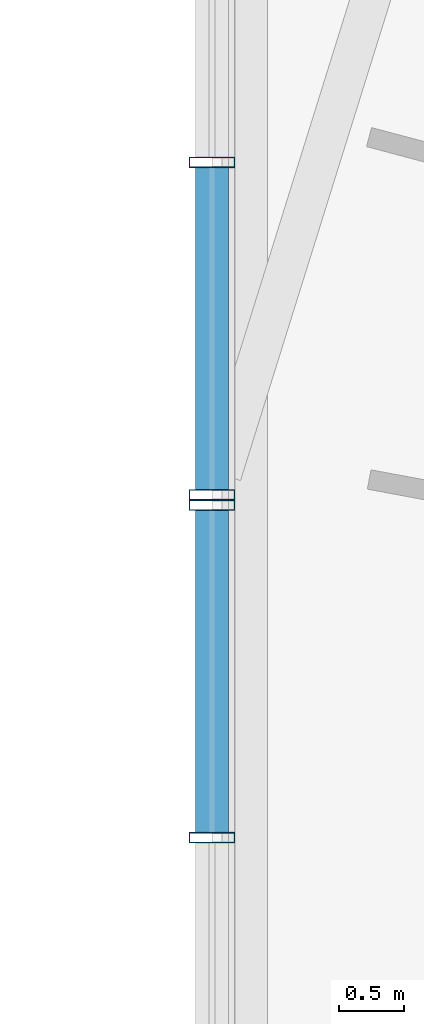
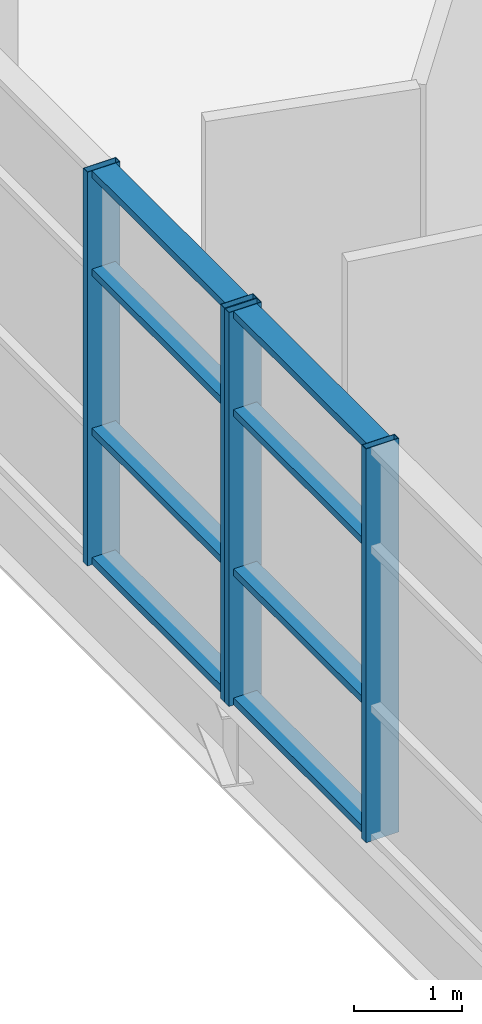
# One storey, part 13 of 26: 12 members, 2 elements without a shape of their own.
"""IFC4 building model written with IfcOpenShell, lengths in metres."""

from ifc_helpers import new_model, si_unit, direction, frame, origin, origin_2d, place, context, subcontext, project, spatial, hollow_rectangle, extrude, material, layer, layer_set, material_profile, profile_set, type_object, element, aggregate, save


model = new_model("IFC4")

# Units and contexts
model_context = context("Model", 3, precision=1e-05, world=origin(), true_north=direction((0.0, 1.0)))
body_context = subcontext(model_context, "Body", "Model", "MODEL_VIEW")
ifc_project = project(units=[si_unit("LENGTHUNIT", "METRE"), si_unit("AREAUNIT", "SQUARE_METRE"), si_unit("VOLUMEUNIT", "CUBIC_METRE"), si_unit("PLANEANGLEUNIT", "RADIAN"), si_unit("MASSUNIT", "GRAM", prefix="KILO")], contexts=[model_context])

# Site, building, storey
site_placement = place(None, origin())
site = spatial("IfcSite", under=ifc_project, at=site_placement, CompositionType="ELEMENT")
building_placement = place(site_placement, origin())
building = spatial("IfcBuilding", under=site, at=building_placement, Name="Tuul Gate Civic Tower", CompositionType="ELEMENT")
storey_placement = place(building_placement, frame((0.0, 0.0, 7.5)))
storey = spatial("IfcBuildingStorey", under=building, at=storey_placement, Name="Level 01", CompositionType="ELEMENT", Elevation=7.5)

# Curtain wall, members
ifc_material_1 = material(Name="Stainless steel", Category="steel")
ifc_layer = layer(ifc_material_1, 0.199951171875)
ifc_layer_set = layer_set([ifc_layer], Name="Stainless steel")
curtain_wall_type = type_object("IfcCurtainWallType", Name="Curtain wall CW2", PredefinedType="NOTDEFINED", material=ifc_layer_set)
curtain_wall_1_placement = place(storey_placement, origin())
curtain_wall_1 = element("IfcCurtainWall", 1, at=curtain_wall_1_placement, inside=storey, type_object=curtain_wall_type, Name="Curtain wall CW2", PredefinedType="NOTDEFINED")
ifc_material_2 = material(Name="Stainless steel", Category="steel")
ifc_material_profile_1 = material_profile(ifc_material_2, hollow_rectangle(XDim=0.35009765625, YDim=0.080078125, WallThickness=0.006103515625, at=origin_2d()), Name="CW2 mullion")
ifc_profile_set_1 = profile_set([ifc_material_profile_1], Name="Stainless steel")
member_type_1 = type_object("IfcMemberType", Name="CW2 mullion", PredefinedType="MULLION", material=ifc_profile_set_1)
member_1_placement = place(storey_placement, frame((18.0, -4.94287109375, 0.0), z_axis=(0.0, 0.0, 1.0), x_axis=(-1.0, 0.0, 0.0)))
member_1 = element("IfcMember", 2, at=member_1_placement, type_object=member_type_1, Name="Mullion", PredefinedType="MULLION", context=body_context, shape_type="SweptSolid", body=[
    extrude(hollow_rectangle(XDim=0.35009765625, YDim=0.080078125, WallThickness=0.006103515625, at=origin_2d()), origin(), (0.0, 0.0, 1.0), 4.449951171875),
])
member_2_placement = place(storey_placement, frame((18.0, -2.404052734375, 0.0), z_axis=(0.0, 0.0, 1.0), x_axis=(-1.0, 0.0, 0.0)))
member_2 = element("IfcMember", 3, at=member_2_placement, type_object=member_type_1, Name="Mullion", PredefinedType="MULLION", context=body_context, shape_type="SweptSolid", body=[
    extrude(hollow_rectangle(XDim=0.35009765625, YDim=0.080078125, WallThickness=0.006103515625, at=origin_2d()), origin(), (0.0, 0.0, 1.0), 4.449951171875),
])

curtain_wall_2_placement = place(storey_placement, origin())
curtain_wall_2 = element("IfcCurtainWall", 4, at=curtain_wall_2_placement, inside=storey, type_object=curtain_wall_type, Name="Curtain wall CW2", PredefinedType="NOTDEFINED")
member_3_placement = place(storey_placement, frame((18.0, -2.32421875, 0.0), z_axis=(0.0, 0.0, 1.0), x_axis=(-1.0, 0.0, 0.0)))
member_3 = element("IfcMember", 5, at=member_3_placement, type_object=member_type_1, Name="Mullion", PredefinedType="MULLION", context=body_context, shape_type="SweptSolid", body=[
    extrude(hollow_rectangle(XDim=0.35009765625, YDim=0.080078125, WallThickness=0.006103515625, at=origin_2d()), origin(), (0.0, 0.0, 1.0), 4.449951171875),
])
member_4_placement = place(storey_placement, frame((18.0, 0.214599609375, 0.0), z_axis=(0.0, 0.0, 1.0), x_axis=(-1.0, 0.0, 0.0)))
member_4 = element("IfcMember", 6, at=member_4_placement, type_object=member_type_1, Name="Mullion", PredefinedType="MULLION", context=body_context, shape_type="SweptSolid", body=[
    extrude(hollow_rectangle(XDim=0.35009765625, YDim=0.080078125, WallThickness=0.006103515625, at=origin_2d()), origin(), (0.0, 0.0, 1.0), 4.449951171875),
])

# Member
ifc_material_3 = material(Name="Stainless steel", Category="steel")
ifc_material_profile_2 = material_profile(ifc_material_3, hollow_rectangle(XDim=0.25, YDim=0.080078125, WallThickness=0.006103515625, at=origin_2d()), Name="CW2 transom")
ifc_profile_set_2 = profile_set([ifc_material_profile_2], Name="Stainless steel")
member_type_2 = type_object("IfcMemberType", Name="CW2 transom", PredefinedType="USERDEFINED", material=ifc_profile_set_2)
member_5_placement = place(storey_placement, frame((18.0, -4.90283203125, 0.0400390625), z_axis=(0.0, 1.0, 0.0), x_axis=(-1.0, 0.0, 0.0)))
member_5 = element("IfcMember", 7, at=member_5_placement, type_object=member_type_2, Name="Transom", ObjectType="TRANSOM", PredefinedType="USERDEFINED", context=body_context, shape_type="SweptSolid", body=[
    extrude(hollow_rectangle(XDim=0.25, YDim=0.080078125, WallThickness=0.006103515625, at=origin_2d()), origin(), (0.0, 0.0, 1.0), 2.458740234375),
])

member_6_placement = place(storey_placement, frame((18.0, -4.90283203125, 1.5), z_axis=(0.0, 1.0, 0.0), x_axis=(-1.0, 0.0, 0.0)))
member_6 = element("IfcMember", 8, at=member_6_placement, type_object=member_type_2, Name="Transom", ObjectType="TRANSOM", PredefinedType="USERDEFINED", context=body_context, shape_type="SweptSolid", body=[
    extrude(hollow_rectangle(XDim=0.25, YDim=0.080078125, WallThickness=0.006103515625, at=origin_2d()), origin(), (0.0, 0.0, 1.0), 2.458740234375),
])

member_7_placement = place(storey_placement, frame((18.0, -4.90283203125, 3.300048828125), z_axis=(0.0, 1.0, 0.0), x_axis=(-1.0, 0.0, 0.0)))
member_7 = element("IfcMember", 9, at=member_7_placement, type_object=member_type_2, Name="Transom", ObjectType="TRANSOM", PredefinedType="USERDEFINED", context=body_context, shape_type="SweptSolid", body=[
    extrude(hollow_rectangle(XDim=0.25, YDim=0.080078125, WallThickness=0.006103515625, at=origin_2d()), origin(), (0.0, 0.0, 1.0), 2.458740234375),
])

member_8_placement = place(storey_placement, frame((18.0, -4.90283203125, 4.409912109375), z_axis=(0.0, 1.0, 0.0), x_axis=(-1.0, 0.0, 0.0)))
member_8 = element("IfcMember", 10, at=member_8_placement, type_object=member_type_2, Name="Transom", ObjectType="TRANSOM", PredefinedType="USERDEFINED", context=body_context, shape_type="SweptSolid", body=[
    extrude(hollow_rectangle(XDim=0.25, YDim=0.080078125, WallThickness=0.006103515625, at=origin_2d()), origin(), (0.0, 0.0, 1.0), 2.458740234375),
])

aggregate(curtain_wall_1, [member_1, member_2, member_5, member_6, member_7, member_8])

member_9_placement = place(storey_placement, frame((18.0, -2.2841796875, 0.0400390625), z_axis=(0.0, 1.0, 0.0), x_axis=(-1.0, 0.0, 0.0)))
member_9 = element("IfcMember", 11, at=member_9_placement, type_object=member_type_2, Name="Transom", ObjectType="TRANSOM", PredefinedType="USERDEFINED", context=body_context, shape_type="SweptSolid", body=[
    extrude(hollow_rectangle(XDim=0.25, YDim=0.080078125, WallThickness=0.006103515625, at=origin_2d()), origin(), (0.0, 0.0, 1.0), 2.458740234375),
])

member_10_placement = place(storey_placement, frame((18.0, -2.2841796875, 1.5), z_axis=(0.0, 1.0, 0.0), x_axis=(-1.0, 0.0, 0.0)))
member_10 = element("IfcMember", 12, at=member_10_placement, type_object=member_type_2, Name="Transom", ObjectType="TRANSOM", PredefinedType="USERDEFINED", context=body_context, shape_type="SweptSolid", body=[
    extrude(hollow_rectangle(XDim=0.25, YDim=0.080078125, WallThickness=0.006103515625, at=origin_2d()), origin(), (0.0, 0.0, 1.0), 2.458740234375),
])

member_11_placement = place(storey_placement, frame((18.0, -2.2841796875, 3.300048828125), z_axis=(0.0, 1.0, 0.0), x_axis=(-1.0, 0.0, 0.0)))
member_11 = element("IfcMember", 13, at=member_11_placement, type_object=member_type_2, Name="Transom", ObjectType="TRANSOM", PredefinedType="USERDEFINED", context=body_context, shape_type="SweptSolid", body=[
    extrude(hollow_rectangle(XDim=0.25, YDim=0.080078125, WallThickness=0.006103515625, at=origin_2d()), origin(), (0.0, 0.0, 1.0), 2.458740234375),
])

member_12_placement = place(storey_placement, frame((18.0, -2.2841796875, 4.409912109375), z_axis=(0.0, 1.0, 0.0), x_axis=(-1.0, 0.0, 0.0)))
member_12 = element("IfcMember", 14, at=member_12_placement, type_object=member_type_2, Name="Transom", ObjectType="TRANSOM", PredefinedType="USERDEFINED", context=body_context, shape_type="SweptSolid", body=[
    extrude(hollow_rectangle(XDim=0.25, YDim=0.080078125, WallThickness=0.006103515625, at=origin_2d()), origin(), (0.0, 0.0, 1.0), 2.458740234375),
])

aggregate(curtain_wall_2, [member_3, member_4, member_9, member_10, member_11, member_12])

save(model, "model.ifc")
